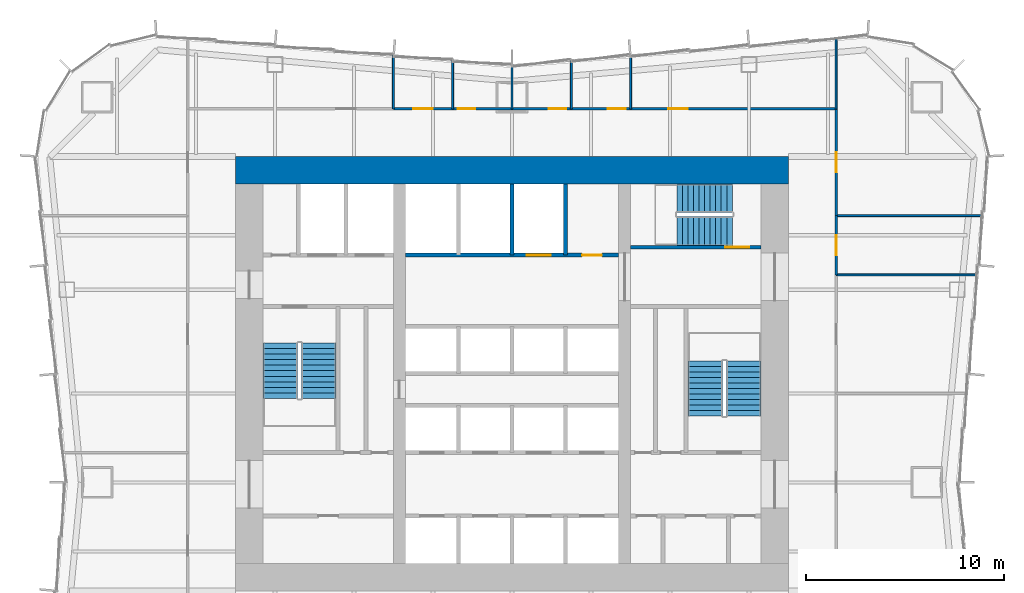
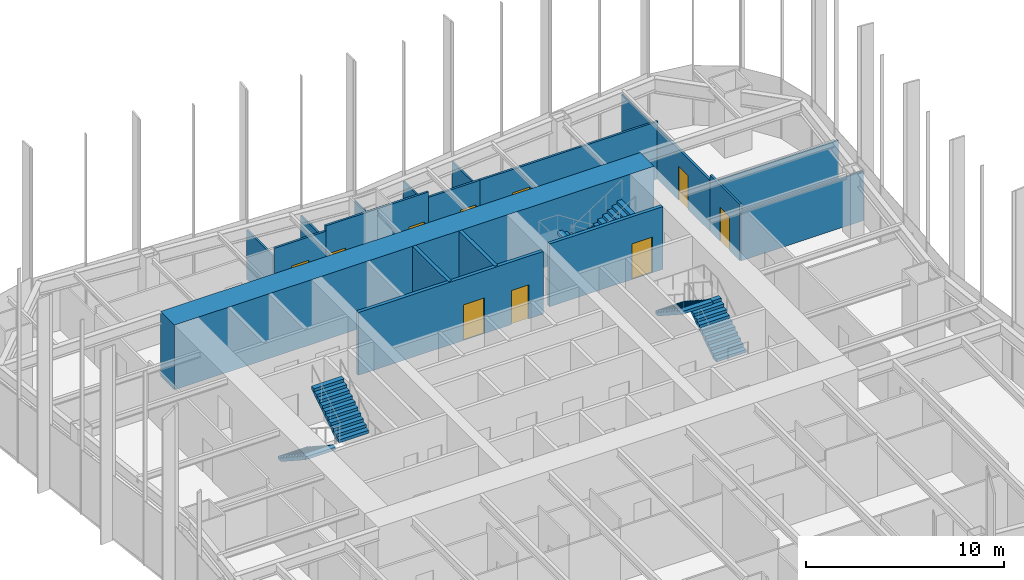
# One storey, part 12 of 13: 20 walls, 10 doors, 6 stair flights, 10 openings, 3 elements without a shape of their own.
"""IFC4 building model written with IfcOpenShell, lengths in metres."""

from ifc_helpers import new_model, si_unit, direction, frame, frame_2d, origin, place, context, subcontext, project, spatial, polyline, rectangle, outline, extrude, material, layer, layer_set, type_object, element, fill, aggregate, save


model = new_model("IFC4")

# Units and contexts
model_context = context("Model", 3, precision=1e-05, world=origin(), true_north=direction((0.0, 1.0)))
body_context = subcontext(model_context, "Body", "Model", "MODEL_VIEW")
ifc_project = project(units=[si_unit("LENGTHUNIT", "METRE"), si_unit("AREAUNIT", "SQUARE_METRE"), si_unit("VOLUMEUNIT", "CUBIC_METRE"), si_unit("PLANEANGLEUNIT", "RADIAN"), si_unit("MASSUNIT", "GRAM", prefix="KILO")], contexts=[model_context])

# Site, building, storey
site_placement = place(None, origin())
site = spatial("IfcSite", under=ifc_project, at=site_placement, CompositionType="ELEMENT")
building_placement = place(site_placement, origin())
building = spatial("IfcBuilding", under=site, at=building_placement, Name="Verdant Reach Tower", CompositionType="ELEMENT")
storey_placement = place(building_placement, frame((0.0, 0.0, 26.0)))
storey = spatial("IfcBuildingStorey", under=building, at=storey_placement, Name="L05", CompositionType="ELEMENT", Elevation=26.0)

# Wall, openings, doors
ifc_material_1 = material(Name="Concrete C40/50", Category="concrete")
ifc_layer_1 = layer(ifc_material_1, 0.199951171875)
ifc_layer_set_1 = layer_set([ifc_layer_1], Name="CO-WALL-SHAFT")
wall_type_1 = type_object("IfcWallType", Name="CO-WALL-SHAFT", PredefinedType="PARTITIONING", material=ifc_layer_set_1)
wall_1_placement = place(storey_placement, frame((-5.39990234375, 34.0, 0.0), z_axis=(0.0, 0.0, 1.0), x_axis=(1.0, 0.0, 0.0)))
wall_1 = element("IfcWall", 1, at=wall_1_placement, inside=storey, type_object=wall_type_1, Name="Lift shaft wall, L05", PredefinedType="PARTITIONING", context=body_context, shape_type="SweptSolid", body=[
    extrude(rectangle(XDim=10.7998046875, YDim=0.199951171875, at=frame_2d((5.39990234375, 0.0))), origin(), (0.0, 0.0, 1.0), 3.8701171875),
])
opening_1_placement = place(wall_1_placement, frame((6.14990234375, 0.0, 0.0)))
opening_1 = element("IfcOpeningElement", 2, at=opening_1_placement, cuts=wall_1, Name="Opening LD-SL1", PredefinedType="OPENING", context=body_context, shape_type="SweptSolid", body=[
    extrude(rectangle(XDim=1.199951171875, YDim=2.199951171875, at=frame_2d((0.60009765625, 1.10009765625))), frame((0.0, 0.10986328125, 0.0), z_axis=(0.0, -1.0, 0.0), x_axis=(1.0, 0.0, 0.0)), (0.0, 0.0, 1.0), 0.219970703125),
])
opening_2_placement = place(wall_1_placement, frame((8.949951171875, 0.0, 0.0)))
opening_2 = element("IfcOpeningElement", 3, at=opening_2_placement, cuts=wall_1, Name="Opening CD", PredefinedType="OPENING", context=body_context, shape_type="SweptSolid", body=[
    extrude(rectangle(XDim=1.0, YDim=2.10009765625, at=frame_2d((0.5, 1.050048828125))), frame((0.0, 0.10986328125, 0.0), z_axis=(0.0, -1.0, 0.0), x_axis=(1.0, 0.0, 0.0)), (0.0, 0.0, 1.0), 0.219970703125),
])
ifc_material_2 = material(Name="Stainless steel", Category="steel")
door_type_1 = type_object("IfcDoorType", Name="CO-DOOR-LANDING", OperationType="SLIDING_TO_LEFT", PredefinedType="DOOR", material=ifc_material_2)
door_1_placement = place(opening_1_placement, origin())
door_1 = element("IfcDoor", 4, at=door_1_placement, inside=storey, type_object=door_type_1, Name="Landing door SL1, L05", OperationType="SLIDING_TO_LEFT", OverallHeight=2.199951171875, OverallWidth=1.199951171875, PredefinedType="DOOR", context=body_context, shape_type="SweptSolid", body=[
    extrude(rectangle(XDim=1.199951171875, YDim=2.199951171875, at=frame_2d((0.60009765625, 1.10009765625))), frame((0.0, 0.02490234375, 0.0), z_axis=(0.0, -1.0, 0.0), x_axis=(1.0, 0.0, 0.0)), (0.0, 0.0, 1.0), 0.050048828125),
])
fill(opening_1, door_1)
ifc_material_3 = material(Name="Timber", Category="wood")
door_type_2 = type_object("IfcDoorType", Name="CO-DOOR-ROOM", OperationType="NOTDEFINED", PredefinedType="DOOR", material=ifc_material_3)
door_2_placement = place(opening_2_placement, origin())
door_2 = element("IfcDoor", 5, at=door_2_placement, inside=storey, type_object=door_type_2, Name="Core room door, L05", OperationType="SINGLE_SWING_LEFT", OverallHeight=2.10009765625, OverallWidth=1.0, PredefinedType="DOOR", context=body_context, shape_type="SweptSolid", body=[
    extrude(rectangle(XDim=1.0, YDim=2.10009765625, at=frame_2d((0.5, 1.050048828125))), frame((0.0, 0.02490234375, 0.0), z_axis=(0.0, -1.0, 0.0), x_axis=(1.0, 0.0, 0.0)), (0.0, 0.0, 1.0), 0.050048828125),
])
fill(opening_2, door_2)

# Walls
for number, where, z_axis, x_axis, name in (
    (6, (0.0, 34.0, 0.0), (0.0, 0.0, 1.0), (0.0, 1.0, 0.0), "Lift shaft wall, L05"),
    (7, (2.699951171875, 34.0, 0.0), (0.0, 0.0, 1.0), (0.0, 1.0, 0.0), "Lift shaft wall, L05"),
):
    element("IfcWall", number, at=place(storey_placement, frame(where, z_axis=z_axis, x_axis=x_axis)), inside=storey, type_object=wall_type_1, Name=name, PredefinedType="PARTITIONING", context=body_context, shape_type="SweptSolid", body=[
        extrude(rectangle(XDim=3.60009765625, YDim=0.199951171875, at=frame_2d((1.800048828125, 0.0))), origin(), (0.0, 0.0, 1.0), 3.8701171875),
    ])

# Wall, opening, door
ifc_layer_2 = layer(ifc_material_1, 0.199951171875)
ifc_layer_set_2 = layer_set([ifc_layer_2], Name="CO-WALL-STAIR")
wall_type_2 = type_object("IfcWallType", Name="CO-WALL-STAIR", PredefinedType="PARTITIONING", material=ifc_layer_set_2)
wall_2_placement = place(storey_placement, frame((6.0, 34.39990234375, 0.0), z_axis=(0.0, 0.0, 1.0), x_axis=(1.0, 0.0, 0.0)))
wall_2 = element("IfcWall", 8, at=wall_2_placement, inside=storey, type_object=wall_type_2, Name="Stair enclosure wall, L05", PredefinedType="PARTITIONING", context=body_context, shape_type="SweptSolid", body=[
    extrude(rectangle(XDim=6.60009765625, YDim=0.199951171875, at=frame_2d((3.300048828125, 0.0))), origin(), (0.0, 0.0, 1.0), 3.8701171875),
])
opening_3_placement = place(wall_2_placement, frame((4.800048828125, 0.0, 0.0)))
opening_3 = element("IfcOpeningElement", 9, at=opening_3_placement, cuts=wall_2, Name="Opening SD", PredefinedType="OPENING", context=body_context, shape_type="SweptSolid", body=[
    extrude(rectangle(XDim=1.199951171875, YDim=2.199951171875, at=frame_2d((0.60009765625, 1.10009765625))), frame((0.0, 0.10986328125, 0.0), z_axis=(0.0, -1.0, 0.0), x_axis=(1.0, 0.0, 0.0)), (0.0, 0.0, 1.0), 0.219970703125),
])
ifc_material_4 = material(Name="Steel", Category="steel")
door_type_3 = type_object("IfcDoorType", Name="CO-DOOR-STAIR", OperationType="NOTDEFINED", PredefinedType="DOOR", material=ifc_material_4)
door_3_placement = place(opening_3_placement, origin())
door_3 = element("IfcDoor", 10, at=door_3_placement, inside=storey, type_object=door_type_3, Name="Stair door, L05", OperationType="SINGLE_SWING_RIGHT", OverallHeight=2.199951171875, OverallWidth=1.199951171875, PredefinedType="DOOR", context=body_context, shape_type="SweptSolid", body=[
    extrude(rectangle(XDim=1.199951171875, YDim=2.199951171875, at=frame_2d((0.60009765625, 1.10009765625))), frame((0.0, 0.02490234375, 0.0), z_axis=(0.0, -1.0, 0.0), x_axis=(1.0, 0.0, 0.0)), (0.0, 0.0, 1.0), 0.050048828125),
])
fill(opening_3, door_3)

# Walls
ifc_material_5 = material(Name="Gypsum board on steel studs", Category="steel")
ifc_layer_3 = layer(ifc_material_5, 0.10009765625)
ifc_layer_set_3 = layer_set([ifc_layer_3], Name="FL-W1 Partition 100")
wall_type_3 = type_object("IfcWallType", Name="FL-W1 Partition 100", PredefinedType="PARTITIONING", material=ifc_layer_set_3)
wall_3_placement = place(storey_placement, frame((-6.0, 41.39990234375, 0.0), z_axis=(0.0, 0.0, 1.0), x_axis=(0.0, 1.0, 0.0)))
element("IfcWall", 11, at=wall_3_placement, inside=storey, type_object=wall_type_3, Name="Partition 05.49", PredefinedType="PARTITIONING", context=body_context, shape_type="SweptSolid", body=[
    extrude(rectangle(XDim=2.68017578125, YDim=0.10009765625, at=frame_2d((1.340087890625, 0.0))), origin(), (0.0, 0.0, 1.0), 3.0400390625),
])
wall_4_placement = place(storey_placement, frame((-3.0, 41.39990234375, 0.0), z_axis=(0.0, 0.0, 1.0), x_axis=(0.0, 1.0, 0.0)))
element("IfcWall", 12, at=wall_4_placement, inside=storey, type_object=wall_type_3, Name="Partition 05.51", PredefinedType="PARTITIONING", context=body_context, shape_type="SweptSolid", body=[
    extrude(rectangle(XDim=2.43017578125, YDim=0.10009765625, at=frame_2d((1.215087890625, 0.0))), origin(), (0.0, 0.0, 1.0), 3.0400390625),
])
wall_5_placement = place(storey_placement, frame((0.0, 41.39990234375, 0.0), z_axis=(0.0, 0.0, 1.0), x_axis=(0.0, 1.0, 0.0)))
element("IfcWall", 13, at=wall_5_placement, inside=storey, type_object=wall_type_3, Name="Partition 05.52", PredefinedType="PARTITIONING", context=body_context, shape_type="SweptSolid", body=[
    extrude(rectangle(XDim=2.18017578125, YDim=0.10009765625, at=frame_2d((1.090087890625, 0.0))), origin(), (0.0, 0.0, 1.0), 3.0400390625),
])
wall_6_placement = place(storey_placement, frame((3.0, 41.39990234375, 0.0), z_axis=(0.0, 0.0, 1.0), x_axis=(0.0, 1.0, 0.0)))
element("IfcWall", 14, at=wall_6_placement, inside=storey, type_object=wall_type_3, Name="Partition 05.53", PredefinedType="PARTITIONING", context=body_context, shape_type="SweptSolid", body=[
    extrude(rectangle(XDim=2.43017578125, YDim=0.10009765625, at=frame_2d((1.215087890625, 0.0))), origin(), (0.0, 0.0, 1.0), 3.0400390625),
])
wall_7_placement = place(storey_placement, frame((6.0, 41.39990234375, 0.0), z_axis=(0.0, 0.0, 1.0), x_axis=(0.0, 1.0, 0.0)))
element("IfcWall", 15, at=wall_7_placement, inside=storey, type_object=wall_type_3, Name="Partition 05.54", PredefinedType="PARTITIONING", context=body_context, shape_type="SweptSolid", body=[
    extrude(rectangle(XDim=2.68017578125, YDim=0.10009765625, at=frame_2d((1.340087890625, 0.0))), origin(), (0.0, 0.0, 1.0), 3.0400390625),
])
wall_8_placement = place(storey_placement, frame((16.39990234375, 41.39599609375, 0.0), z_axis=(0.0, 0.0, 1.0), x_axis=(0.0, 1.0, 0.0)))
element("IfcWall", 16, at=wall_8_placement, inside=storey, type_object=wall_type_3, Name="Partition 05.55", PredefinedType="PARTITIONING", context=body_context, shape_type="SweptSolid", body=[
    extrude(rectangle(XDim=3.55078125, YDim=0.10009765625, at=frame_2d((1.775390625, 0.0))), origin(), (0.0, 0.0, 1.0), 3.0400390625),
])
wall_9_placement = place(storey_placement, frame((23.534423828125, 33.0, 0.0), z_axis=(0.0, 0.0, 1.0), x_axis=(-1.0, 0.0, 0.0)))
element("IfcWall", 17, at=wall_9_placement, inside=storey, type_object=wall_type_3, Name="Partition 05.60", PredefinedType="PARTITIONING", context=body_context, shape_type="SweptSolid", body=[
    extrude(rectangle(XDim=7.134521484375, YDim=0.10009765625, at=frame_2d((3.5673828125, 0.0))), origin(), (0.0, 0.0, 1.0), 3.0400390625),
])
wall_10_placement = place(storey_placement, frame((23.807373046875, 36.0, 0.0), z_axis=(0.0, 0.0, 1.0), x_axis=(-1.0, 0.0, 0.0)))
element("IfcWall", 18, at=wall_10_placement, inside=storey, type_object=wall_type_3, Name="Partition 05.61", PredefinedType="PARTITIONING", context=body_context, shape_type="SweptSolid", body=[
    extrude(rectangle(XDim=7.407470703125, YDim=0.10009765625, at=frame_2d((3.70361328125, 0.0))), origin(), (0.0, 0.0, 1.0), 3.0400390625),
])

# Wall, opening, door
ifc_material_6 = material(Name="Gypsum board on steel studs, fire rated", Category="steel")
ifc_layer_4 = layer(ifc_material_6, 0.125)
ifc_layer_set_4 = layer_set([ifc_layer_4], Name="FL-W2 Corridor wall 125")
wall_type_4 = type_object("IfcWallType", Name="FL-W2 Corridor wall 125", PredefinedType="PARTITIONING", material=ifc_layer_set_4)
wall_11_placement = place(storey_placement, frame((-6.0, 41.39990234375, 0.0), z_axis=(0.0, 0.0, 1.0), x_axis=(1.0, 0.0, 0.0)))
wall_11 = element("IfcWall", 19, at=wall_11_placement, inside=storey, type_object=wall_type_4, Name="Partition 05.09", PredefinedType="PARTITIONING", context=body_context, shape_type="SweptSolid", body=[
    extrude(rectangle(XDim=3.0, YDim=0.125, at=frame_2d((1.5, 0.0))), origin(), (0.0, 0.0, 1.0), 3.5400390625),
])
opening_4_placement = place(wall_11_placement, frame((1.0, 0.0, 0.0)))
opening_4 = element("IfcOpeningElement", 20, at=opening_4_placement, cuts=wall_11, Name="Opening D2", PredefinedType="OPENING", context=body_context, shape_type="SweptSolid", body=[
    extrude(rectangle(XDim=1.0, YDim=2.10009765625, at=frame_2d((0.5, 1.050048828125))), frame((0.0, 0.072509765625, 0.0), z_axis=(0.0, -1.0, 0.0), x_axis=(1.0, 0.0, 0.0)), (0.0, 0.0, 1.0), 0.14501953125),
])
ifc_material_7 = material(Name="Timber door leaf, fire rated", Category="wood")
door_type_4 = type_object("IfcDoorType", Name="FL-D2 Entrance door 1000x2100 FD30", OperationType="NOTDEFINED", PredefinedType="DOOR", material=ifc_material_7)
door_4_placement = place(opening_4_placement, origin())
door_4 = element("IfcDoor", 21, at=door_4_placement, inside=storey, type_object=door_type_4, Name="Door 05-005", OperationType="SINGLE_SWING_LEFT", OverallHeight=2.10009765625, OverallWidth=1.0, PredefinedType="DOOR", context=body_context, shape_type="SweptSolid", body=[
    extrude(rectangle(XDim=1.0, YDim=2.10009765625, at=frame_2d((0.5, 1.050048828125))), frame((0.0, 0.02490234375, 0.0), z_axis=(0.0, -1.0, 0.0), x_axis=(1.0, 0.0, 0.0)), (0.0, 0.0, 1.0), 0.050048828125),
])
fill(opening_4, door_4)

wall_12_placement = place(storey_placement, frame((-3.0, 41.39990234375, 0.0), z_axis=(0.0, 0.0, 1.0), x_axis=(1.0, 0.0, 0.0)))
wall_12 = element("IfcWall", 22, at=wall_12_placement, inside=storey, type_object=wall_type_4, Name="Partition 05.10", PredefinedType="PARTITIONING", context=body_context, shape_type="SweptSolid", body=[
    extrude(rectangle(XDim=3.0, YDim=0.125, at=frame_2d((1.5, 0.0))), origin(), (0.0, 0.0, 1.0), 3.8701171875),
])
opening_5_placement = place(wall_12_placement, frame((0.25, 0.0, 0.0)))
opening_5 = element("IfcOpeningElement", 23, at=opening_5_placement, cuts=wall_12, Name="Opening D1", PredefinedType="OPENING", context=body_context, shape_type="SweptSolid", body=[
    extrude(rectangle(XDim=0.89990234375, YDim=2.10009765625, at=frame_2d((0.449951171875, 1.050048828125))), frame((0.0, 0.072509765625, 0.0), z_axis=(0.0, -1.0, 0.0), x_axis=(1.0, 0.0, 0.0)), (0.0, 0.0, 1.0), 0.14501953125),
])
ifc_material_8 = material(Name="Painted timber door leaf", Category="wood")
door_type_5 = type_object("IfcDoorType", Name="FL-D1 Door 900x2100", OperationType="NOTDEFINED", PredefinedType="DOOR", material=ifc_material_8)
door_5_placement = place(opening_5_placement, origin())
door_5 = element("IfcDoor", 24, at=door_5_placement, inside=storey, type_object=door_type_5, Name="Door 05-006", OperationType="SINGLE_SWING_LEFT", OverallHeight=2.10009765625, OverallWidth=0.89990234375, PredefinedType="DOOR", context=body_context, shape_type="SweptSolid", body=[
    extrude(rectangle(XDim=0.89990234375, YDim=2.10009765625, at=frame_2d((0.449951171875, 1.050048828125))), frame((0.0, 0.02490234375, 0.0), z_axis=(0.0, -1.0, 0.0), x_axis=(1.0, 0.0, 0.0)), (0.0, 0.0, 1.0), 0.050048828125),
])
fill(opening_5, door_5)

wall_13_placement = place(storey_placement, frame((0.0, 41.39990234375, 0.0), z_axis=(0.0, 0.0, 1.0), x_axis=(1.0, 0.0, 0.0)))
wall_13 = element("IfcWall", 25, at=wall_13_placement, inside=storey, type_object=wall_type_4, Name="Partition 05.11", PredefinedType="PARTITIONING", context=body_context, shape_type="SweptSolid", body=[
    extrude(rectangle(XDim=3.0, YDim=0.125, at=frame_2d((1.5, 0.0))), origin(), (0.0, 0.0, 1.0), 3.8701171875),
])
opening_6_placement = place(wall_13_placement, frame((1.85009765625, 0.0, 0.0)))
opening_6 = element("IfcOpeningElement", 26, at=opening_6_placement, cuts=wall_13, Name="Opening D1", PredefinedType="OPENING", context=body_context, shape_type="SweptSolid", body=[
    extrude(rectangle(XDim=0.89990234375, YDim=2.10009765625, at=frame_2d((0.449951171875, 1.050048828125))), frame((0.0, 0.072509765625, 0.0), z_axis=(0.0, -1.0, 0.0), x_axis=(1.0, 0.0, 0.0)), (0.0, 0.0, 1.0), 0.14501953125),
])
door_6_placement = place(opening_6_placement, origin())
door_6 = element("IfcDoor", 27, at=door_6_placement, inside=storey, type_object=door_type_5, Name="Door 05-007", OperationType="SINGLE_SWING_RIGHT", OverallHeight=2.10009765625, OverallWidth=0.89990234375, PredefinedType="DOOR", context=body_context, shape_type="SweptSolid", body=[
    extrude(rectangle(XDim=0.89990234375, YDim=2.10009765625, at=frame_2d((0.449951171875, 1.050048828125))), frame((0.0, 0.02490234375, 0.0), z_axis=(0.0, -1.0, 0.0), x_axis=(1.0, 0.0, 0.0)), (0.0, 0.0, 1.0), 0.050048828125),
])
fill(opening_6, door_6)

wall_14_placement = place(storey_placement, frame((3.0, 41.39990234375, 0.0), z_axis=(0.0, 0.0, 1.0), x_axis=(1.0, 0.0, 0.0)))
wall_14 = element("IfcWall", 28, at=wall_14_placement, inside=storey, type_object=wall_type_4, Name="Partition 05.12", PredefinedType="PARTITIONING", context=body_context, shape_type="SweptSolid", body=[
    extrude(rectangle(XDim=3.0, YDim=0.125, at=frame_2d((1.5, 0.0))), origin(), (0.0, 0.0, 1.0), 3.5400390625),
])
opening_7_placement = place(wall_14_placement, frame((1.85009765625, 0.0, 0.0)))
opening_7 = element("IfcOpeningElement", 29, at=opening_7_placement, cuts=wall_14, Name="Opening D1", PredefinedType="OPENING", context=body_context, shape_type="SweptSolid", body=[
    extrude(rectangle(XDim=0.89990234375, YDim=2.10009765625, at=frame_2d((0.449951171875, 1.050048828125))), frame((0.0, 0.072509765625, 0.0), z_axis=(0.0, -1.0, 0.0), x_axis=(1.0, 0.0, 0.0)), (0.0, 0.0, 1.0), 0.14501953125),
])
door_7_placement = place(opening_7_placement, origin())
door_7 = element("IfcDoor", 30, at=door_7_placement, inside=storey, type_object=door_type_5, Name="Door 05-008", OperationType="SINGLE_SWING_RIGHT", OverallHeight=2.10009765625, OverallWidth=0.89990234375, PredefinedType="DOOR", context=body_context, shape_type="SweptSolid", body=[
    extrude(rectangle(XDim=0.89990234375, YDim=2.10009765625, at=frame_2d((0.449951171875, 1.050048828125))), frame((0.0, 0.02490234375, 0.0), z_axis=(0.0, -1.0, 0.0), x_axis=(1.0, 0.0, 0.0)), (0.0, 0.0, 1.0), 0.050048828125),
])
fill(opening_7, door_7)

wall_15_placement = place(storey_placement, frame((6.0, 41.39990234375, 0.0), z_axis=(0.0, 0.0, 1.0), x_axis=(1.0, 0.0, 0.0)))
wall_15 = element("IfcWall", 31, at=wall_15_placement, inside=storey, type_object=wall_type_4, Name="Partition 05.13", PredefinedType="PARTITIONING", context=body_context, shape_type="SweptSolid", body=[
    extrude(rectangle(XDim=10.39990234375, YDim=0.125, at=frame_2d((5.199951171875, 0.0))), origin(), (0.0, 0.0, 1.0), 3.5400390625),
])
opening_8_placement = place(wall_15_placement, frame((1.89990234375, 0.0, 0.0)))
opening_8 = element("IfcOpeningElement", 32, at=opening_8_placement, cuts=wall_15, Name="Opening D2", PredefinedType="OPENING", context=body_context, shape_type="SweptSolid", body=[
    extrude(rectangle(XDim=1.0, YDim=2.10009765625, at=frame_2d((0.5, 1.050048828125))), frame((0.0, 0.072509765625, 0.0), z_axis=(0.0, -1.0, 0.0), x_axis=(1.0, 0.0, 0.0)), (0.0, 0.0, 1.0), 0.14501953125),
])
door_8_placement = place(opening_8_placement, origin())
door_8 = element("IfcDoor", 33, at=door_8_placement, inside=storey, type_object=door_type_4, Name="Door 05-009", OperationType="SINGLE_SWING_LEFT", OverallHeight=2.10009765625, OverallWidth=1.0, PredefinedType="DOOR", context=body_context, shape_type="SweptSolid", body=[
    extrude(rectangle(XDim=1.0, YDim=2.10009765625, at=frame_2d((0.5, 1.050048828125))), frame((0.0, 0.02490234375, 0.0), z_axis=(0.0, -1.0, 0.0), x_axis=(1.0, 0.0, 0.0)), (0.0, 0.0, 1.0), 0.050048828125),
])
fill(opening_8, door_8)

wall_16_placement = place(storey_placement, frame((16.39990234375, 36.0, 0.0), z_axis=(0.0, 0.0, 1.0), x_axis=(0.0, -1.0, 0.0)))
wall_16 = element("IfcWall", 34, at=wall_16_placement, inside=storey, type_object=wall_type_4, Name="Partition 05.20", PredefinedType="PARTITIONING", context=body_context, shape_type="SweptSolid", body=[
    extrude(rectangle(XDim=3.0, YDim=0.125, at=frame_2d((1.5, 0.0))), origin(), (0.0, 0.0, 1.0), 3.47998046875),
])
opening_9_placement = place(wall_16_placement, frame((1.0, 0.0, 0.0)))
opening_9 = element("IfcOpeningElement", 35, at=opening_9_placement, cuts=wall_16, Name="Opening D2", PredefinedType="OPENING", context=body_context, shape_type="SweptSolid", body=[
    extrude(rectangle(XDim=1.0, YDim=2.10009765625, at=frame_2d((0.5, 1.050048828125))), frame((0.0, 0.072509765625, 0.0), z_axis=(0.0, -1.0, 0.0), x_axis=(1.0, 0.0, 0.0)), (0.0, 0.0, 1.0), 0.14501953125),
])
door_9_placement = place(opening_9_placement, origin())
door_9 = element("IfcDoor", 36, at=door_9_placement, inside=storey, type_object=door_type_4, Name="Door 05-016", OperationType="SINGLE_SWING_RIGHT", OverallHeight=2.10009765625, OverallWidth=1.0, PredefinedType="DOOR", context=body_context, shape_type="SweptSolid", body=[
    extrude(rectangle(XDim=1.0, YDim=2.10009765625, at=frame_2d((0.5, 1.050048828125))), frame((0.0, 0.02490234375, 0.0), z_axis=(0.0, -1.0, 0.0), x_axis=(1.0, 0.0, 0.0)), (0.0, 0.0, 1.0), 0.050048828125),
])
fill(opening_9, door_9)

wall_17_placement = place(storey_placement, frame((16.39990234375, 41.404052734375, 0.0), z_axis=(0.0, 0.0, 1.0), x_axis=(0.0, -1.0, 0.0)))
wall_17 = element("IfcWall", 37, at=wall_17_placement, inside=storey, type_object=wall_type_4, Name="Partition 05.21", PredefinedType="PARTITIONING", context=body_context, shape_type="SweptSolid", body=[
    extrude(rectangle(XDim=5.404052734375, YDim=0.125, at=frame_2d((2.7021484375, 0.0))), origin(), (0.0, 0.0, 1.0), 3.139892578125),
])
opening_10_placement = place(wall_17_placement, frame((2.201904296875, 0.0, 0.0)))
opening_10 = element("IfcOpeningElement", 38, at=opening_10_placement, cuts=wall_17, Name="Opening D2", PredefinedType="OPENING", context=body_context, shape_type="SweptSolid", body=[
    extrude(rectangle(XDim=1.0, YDim=2.10009765625, at=frame_2d((0.5, 1.050048828125))), frame((0.0, 0.072509765625, 0.0), z_axis=(0.0, -1.0, 0.0), x_axis=(1.0, 0.0, 0.0)), (0.0, 0.0, 1.0), 0.14501953125),
])
door_10_placement = place(opening_10_placement, origin())
door_10 = element("IfcDoor", 39, at=door_10_placement, inside=storey, type_object=door_type_4, Name="Door 05-017", OperationType="SINGLE_SWING_LEFT", OverallHeight=2.10009765625, OverallWidth=1.0, PredefinedType="DOOR", context=body_context, shape_type="SweptSolid", body=[
    extrude(rectangle(XDim=1.0, YDim=2.10009765625, at=frame_2d((0.5, 1.050048828125))), frame((0.0, 0.02490234375, 0.0), z_axis=(0.0, -1.0, 0.0), x_axis=(1.0, 0.0, 0.0)), (0.0, 0.0, 1.0), 0.050048828125),
])
fill(opening_10, door_10)

# Wall
ifc_material_9 = material(Name="Concrete C70/85", Category="concrete")
ifc_layer_5 = layer(ifc_material_9, 1.39990234375)
ifc_layer_set_5 = layer_set([ifc_layer_5], Name="ST-CORE-WALL-1400")
wall_type_5 = type_object("IfcWallType", Name="ST-CORE-WALL-1400", PredefinedType="SHEAR", material=ifc_layer_set_5)
wall_18_placement = place(storey_placement, frame((-14.0, 38.300048828125, -0.1298828125), z_axis=(0.0, 0.0, 1.0), x_axis=(1.0, 0.0, 0.0)))
element("IfcWall", 40, at=wall_18_placement, inside=storey, type_object=wall_type_5, Name="Core wall N, L05", PredefinedType="SHEAR", context=body_context, shape_type="SweptSolid", body=[
    extrude(rectangle(XDim=28.0, YDim=1.39990234375, at=frame_2d((14.0, 0.0))), origin(), (0.0, 0.0, 1.0), 4.0),
])

# Stair, stair flights
stair_type = type_object("IfcStairType", Name="CO-STAIR", PredefinedType="HALF_TURN_STAIR", material=ifc_material_1)
stair_1_placement = place(storey_placement, origin())
stair_1 = element("IfcStair", 41, at=stair_1_placement, inside=storey, type_object=stair_type, Name="L05 Exit stair 1", PredefinedType="HALF_TURN_STAIR")
stair_flight_type = type_object("IfcStairFlightType", Name="CO-STAIR-FLIGHT", PredefinedType="STRAIGHT", material=ifc_material_1)
stair_flight_1_placement = place(storey_placement, frame((-11.72509765625, 29.550048828125, 0.0), z_axis=(0.0, 0.0, 1.0), x_axis=(0.0, -1.0, 0.0)))
stair_flight_1 = element("IfcStairFlight", 42, at=stair_flight_1_placement, type_object=stair_flight_type, Name="ST-1 flight 1", NumberOfRisers=11, NumberOfTreads=10, PredefinedType="STRAIGHT", RiserHeight=0.181818182, TreadLength=0.28, context=body_context, shape_type="SweptSolid", body=[
    extrude(outline(polyline([(0.0, 0.0), (0.0, 0.181884765625), (0.280029296875, 0.181884765625), (0.280029296875, 0.363525390625), (0.56005859375, 0.363525390625), (0.56005859375, 0.54541015625), (0.840087890625, 0.54541015625), (0.840087890625, 0.727294921875), (1.1201171875, 0.727294921875), (1.1201171875, 0.9091796875), (1.39990234375, 0.9091796875), (1.39990234375, 1.0908203125), (1.679931640625, 1.0908203125), (1.679931640625, 1.272705078125), (1.9599609375, 1.272705078125), (1.9599609375, 1.45458984375), (2.239990234375, 1.45458984375), (2.239990234375, 1.636474609375), (2.52001953125, 1.636474609375), (2.52001953125, 1.818115234375), (2.800048828125, 1.818115234375), (2.800048828125, 2.0), (2.800048828125, 1.639404296875), (0.275146484375, 0.0), (0.0, 0.0)])), frame((0.0, 0.875, 0.0), z_axis=(0.0, -1.0, 0.0), x_axis=(1.0, 0.0, 0.0)), (0.0, 0.0, 1.0), 1.75),
])
stair_flight_2_placement = place(storey_placement, frame((-9.77490234375, 26.75, 2.0), z_axis=(0.0, 0.0, 1.0), x_axis=(0.0, 1.0, 0.0)))
stair_flight_2 = element("IfcStairFlight", 43, at=stair_flight_2_placement, type_object=stair_flight_type, Name="ST-1 flight 2", NumberOfRisers=11, NumberOfTreads=10, PredefinedType="STRAIGHT", RiserHeight=0.181818182, TreadLength=0.28, context=body_context, shape_type="SweptSolid", body=[
    extrude(outline(polyline([(0.0, 0.0), (0.0, 0.181884765625), (0.280029296875, 0.181884765625), (0.280029296875, 0.363525390625), (0.56005859375, 0.363525390625), (0.56005859375, 0.54541015625), (0.840087890625, 0.54541015625), (0.840087890625, 0.727294921875), (1.1201171875, 0.727294921875), (1.1201171875, 0.9091796875), (1.39990234375, 0.9091796875), (1.39990234375, 1.0908203125), (1.679931640625, 1.0908203125), (1.679931640625, 1.272705078125), (1.9599609375, 1.272705078125), (1.9599609375, 1.45458984375), (2.239990234375, 1.45458984375), (2.239990234375, 1.636474609375), (2.52001953125, 1.636474609375), (2.52001953125, 1.818115234375), (2.800048828125, 1.818115234375), (2.800048828125, 2.0), (2.800048828125, 1.639404296875), (0.275146484375, 0.0), (0.0, 0.0)])), frame((0.0, 0.875, 0.0), z_axis=(0.0, -1.0, 0.0), x_axis=(1.0, 0.0, 0.0)), (0.0, 0.0, 1.0), 1.75),
])
aggregate(stair_1, [stair_flight_1, stair_flight_2])

stair_2_placement = place(storey_placement, origin())
stair_2 = element("IfcStair", 44, at=stair_2_placement, inside=storey, type_object=stair_type, Name="L05 Exit stair 2", PredefinedType="HALF_TURN_STAIR")
stair_flight_3_placement = place(storey_placement, frame((11.72509765625, 25.85009765625, 0.0), z_axis=(0.0, 0.0, 1.0), x_axis=(0.0, 1.0, 0.0)))
stair_flight_3 = element("IfcStairFlight", 45, at=stair_flight_3_placement, type_object=stair_flight_type, Name="ST-2 flight 1", NumberOfRisers=11, NumberOfTreads=10, PredefinedType="STRAIGHT", RiserHeight=0.181818182, TreadLength=0.28, context=body_context, shape_type="SweptSolid", body=[
    extrude(outline(polyline([(0.0, 0.0), (0.0, 0.181884765625), (0.280029296875, 0.181884765625), (0.280029296875, 0.363525390625), (0.56005859375, 0.363525390625), (0.56005859375, 0.54541015625), (0.840087890625, 0.54541015625), (0.840087890625, 0.727294921875), (1.1201171875, 0.727294921875), (1.1201171875, 0.9091796875), (1.39990234375, 0.9091796875), (1.39990234375, 1.0908203125), (1.679931640625, 1.0908203125), (1.679931640625, 1.272705078125), (1.9599609375, 1.272705078125), (1.9599609375, 1.45458984375), (2.239990234375, 1.45458984375), (2.239990234375, 1.636474609375), (2.52001953125, 1.636474609375), (2.52001953125, 1.818115234375), (2.800048828125, 1.818115234375), (2.800048828125, 2.0), (2.800048828125, 1.639404296875), (0.275146484375, 0.0), (0.0, 0.0)])), frame((0.0, 0.875, 0.0), z_axis=(0.0, -1.0, 0.0), x_axis=(1.0, 0.0, 0.0)), (0.0, 0.0, 1.0), 1.75),
])
stair_flight_4_placement = place(storey_placement, frame((9.77490234375, 28.64990234375, 2.0), z_axis=(0.0, 0.0, 1.0), x_axis=(0.0, -1.0, 0.0)))
stair_flight_4 = element("IfcStairFlight", 46, at=stair_flight_4_placement, type_object=stair_flight_type, Name="ST-2 flight 2", NumberOfRisers=11, NumberOfTreads=10, PredefinedType="STRAIGHT", RiserHeight=0.181818182, TreadLength=0.28, context=body_context, shape_type="SweptSolid", body=[
    extrude(outline(polyline([(0.0, 0.0), (0.0, 0.181884765625), (0.280029296875, 0.181884765625), (0.280029296875, 0.363525390625), (0.56005859375, 0.363525390625), (0.56005859375, 0.54541015625), (0.840087890625, 0.54541015625), (0.840087890625, 0.727294921875), (1.1201171875, 0.727294921875), (1.1201171875, 0.9091796875), (1.39990234375, 0.9091796875), (1.39990234375, 1.0908203125), (1.679931640625, 1.0908203125), (1.679931640625, 1.272705078125), (1.9599609375, 1.272705078125), (1.9599609375, 1.45458984375), (2.239990234375, 1.45458984375), (2.239990234375, 1.636474609375), (2.52001953125, 1.636474609375), (2.52001953125, 1.818115234375), (2.800048828125, 1.818115234375), (2.800048828125, 2.0), (2.800048828125, 1.639404296875), (0.275146484375, 0.0), (0.0, 0.0)])), frame((0.0, 0.875, 0.0), z_axis=(0.0, -1.0, 0.0), x_axis=(1.0, 0.0, 0.0)), (0.0, 0.0, 1.0), 1.75),
])
aggregate(stair_2, [stair_flight_3, stair_flight_4])

stair_3_placement = place(storey_placement, origin())
stair_3 = element("IfcStair", 47, at=stair_3_placement, inside=storey, type_object=stair_type, Name="L05 Exit stair 3", PredefinedType="HALF_TURN_STAIR")
stair_flight_5_placement = place(storey_placement, frame((11.14990234375, 36.875, 0.0), z_axis=(0.0, 0.0, 1.0), x_axis=(-1.0, 0.0, 0.0)))
stair_flight_5 = element("IfcStairFlight", 48, at=stair_flight_5_placement, type_object=stair_flight_type, Name="ST-3 flight 1", NumberOfRisers=11, NumberOfTreads=10, PredefinedType="STRAIGHT", RiserHeight=0.181818182, TreadLength=0.28, context=body_context, shape_type="SweptSolid", body=[
    extrude(outline(polyline([(0.0, 0.0), (0.0, 0.181884765625), (0.280029296875, 0.181884765625), (0.280029296875, 0.363525390625), (0.56005859375, 0.363525390625), (0.56005859375, 0.54541015625), (0.840087890625, 0.54541015625), (0.840087890625, 0.727294921875), (1.1201171875, 0.727294921875), (1.1201171875, 0.9091796875), (1.39990234375, 0.9091796875), (1.39990234375, 1.0908203125), (1.679931640625, 1.0908203125), (1.679931640625, 1.272705078125), (1.9599609375, 1.272705078125), (1.9599609375, 1.45458984375), (2.239990234375, 1.45458984375), (2.239990234375, 1.636474609375), (2.52001953125, 1.636474609375), (2.52001953125, 1.818115234375), (2.800048828125, 1.818115234375), (2.800048828125, 2.0), (2.800048828125, 1.639404296875), (0.275146484375, 0.0), (0.0, 0.0)])), frame((0.0, 0.72509765625, 0.0), z_axis=(0.0, -1.0, 0.0), x_axis=(1.0, 0.0, 0.0)), (0.0, 0.0, 1.0), 1.449951171875),
])
stair_flight_6_placement = place(storey_placement, frame((8.35009765625, 35.22509765625, 2.0), z_axis=(0.0, 0.0, 1.0), x_axis=(1.0, 0.0, 0.0)))
stair_flight_6 = element("IfcStairFlight", 49, at=stair_flight_6_placement, type_object=stair_flight_type, Name="ST-3 flight 2", NumberOfRisers=11, NumberOfTreads=10, PredefinedType="STRAIGHT", RiserHeight=0.181818182, TreadLength=0.28, context=body_context, shape_type="SweptSolid", body=[
    extrude(outline(polyline([(0.0, 0.0), (0.0, 0.181884765625), (0.280029296875, 0.181884765625), (0.280029296875, 0.363525390625), (0.56005859375, 0.363525390625), (0.56005859375, 0.54541015625), (0.840087890625, 0.54541015625), (0.840087890625, 0.727294921875), (1.1201171875, 0.727294921875), (1.1201171875, 0.9091796875), (1.39990234375, 0.9091796875), (1.39990234375, 1.0908203125), (1.679931640625, 1.0908203125), (1.679931640625, 1.272705078125), (1.9599609375, 1.272705078125), (1.9599609375, 1.45458984375), (2.239990234375, 1.45458984375), (2.239990234375, 1.636474609375), (2.52001953125, 1.636474609375), (2.52001953125, 1.818115234375), (2.800048828125, 1.818115234375), (2.800048828125, 2.0), (2.800048828125, 1.639404296875), (0.275146484375, 0.0), (0.0, 0.0)])), frame((0.0, 0.72509765625, 0.0), z_axis=(0.0, -1.0, 0.0), x_axis=(1.0, 0.0, 0.0)), (0.0, 0.0, 1.0), 1.449951171875),
])
aggregate(stair_3, [stair_flight_5, stair_flight_6])

save(model, "model.ifc")
